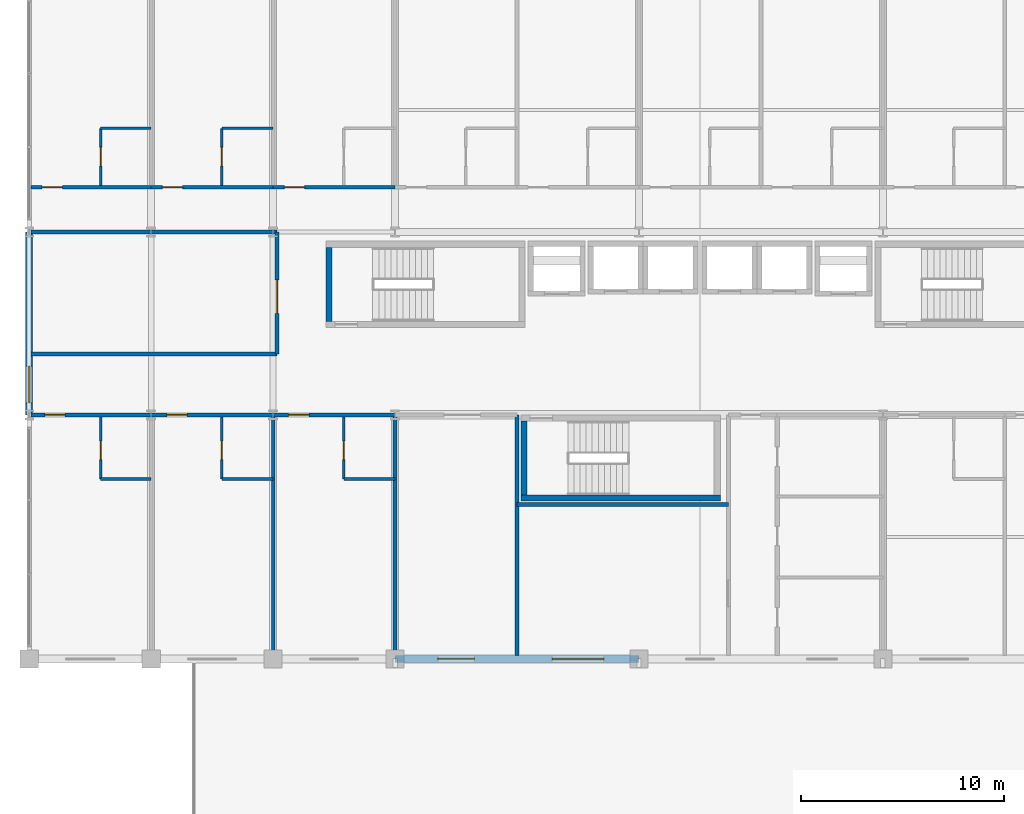
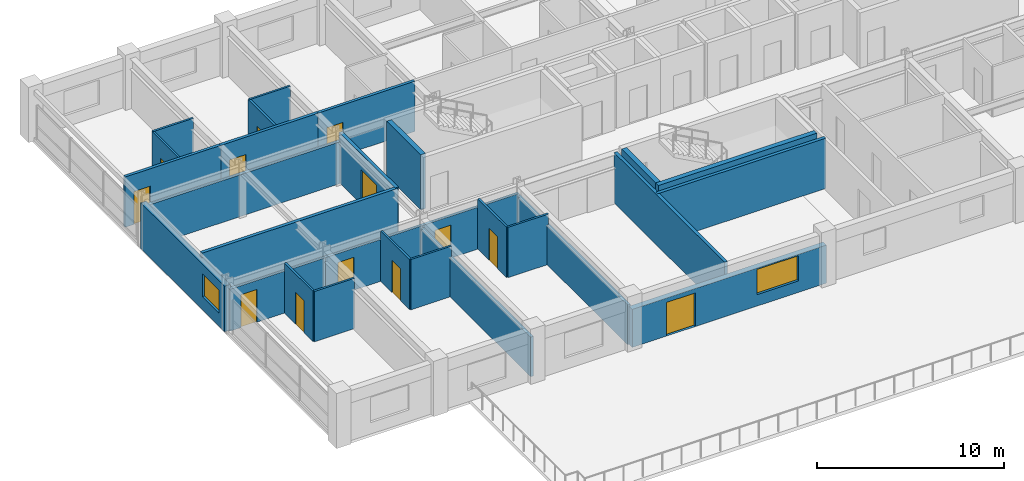
# One storey, part 16 of 24: 28 walls, 13 doors, 2 windows, 15 openings.
"""IFC4 building model written with IfcOpenShell, lengths in metres."""

import ifcopenshell
import ifcopenshell.guid

model = None  # the IFC model being written
_history = None  # IfcOwnerHistory: only IFC2X3 demands one
_inside = {}  # id of a spatial element -> (the spatial element, [elements in it])
_under = {}  # id of a project, library or spatial element -> (it, [spatial elements below it])
_declared = {}  # id of a project -> (the project, [libraries it declares])
_typed = {}  # id of a type object -> (the type object, [elements of that type])
_made_of = {}  # id of a material, layer set ... -> (it, [elements and type objects made of it])


def new_model(schema):
    """Start an empty IFC model of exactly this schema.

    Asked for "IFC4X3", IfcOpenShell would pick the latest addendum, in which some entities
    have other attributes; the version numbers below select the first issue.
    IFC2X3 requires an IfcOwnerHistory on every rooted entity: one is made here for all.
    """
    global model, _history
    if schema == "IFC4X3":
        model = ifcopenshell.file(schema_version=(4, 3, 0, 0))
    else:
        model = ifcopenshell.file(schema=schema)
    _inside.clear()
    _under.clear()
    _declared.clear()
    _typed.clear()
    _made_of.clear()
    _history = None
    if model.schema == "IFC2X3":
        org = make("IfcOrganization", Name="unknown")
        user = make(
            "IfcPersonAndOrganization",
            ThePerson=make("IfcPerson", FamilyName="unknown"),
            TheOrganization=org,
        )
        app = make(
            "IfcApplication",
            ApplicationDeveloper=org,
            Version="unknown",
            ApplicationFullName="unknown",
            ApplicationIdentifier="unknown",
        )
        _history = make(
            "IfcOwnerHistory",
            OwningUser=user,
            OwningApplication=app,
            ChangeAction="ADDED",
            CreationDate=0,
        )
    return model


def make(cls, **values):
    """One entity of the class cls with the attributes given. An attribute that is None is left unset."""
    return model.create_entity(
        cls, **{name: value for name, value in values.items() if value is not None}
    )


def rooted(cls, **values):
    """An entity with a GlobalId (a new one), such as an element, a storey or a relation."""
    return make(cls, GlobalId=ifcopenshell.guid.new(), OwnerHistory=_history, **values)


def si_unit(unit_type, name, prefix=None):
    """IfcSIUnit, for example si_unit("LENGTHUNIT", "METRE", prefix="MILLI")."""
    return make("IfcSIUnit", UnitType=unit_type, Prefix=prefix, Name=name)


def assignment(units):
    """IfcUnitAssignment: the units of a project."""
    return None if units is None else make("IfcUnitAssignment", Units=units)


def point(xyz):
    """IfcCartesianPoint."""
    return None if xyz is None else make("IfcCartesianPoint", Coordinates=xyz)


def direction(xyz):
    """IfcDirection."""
    return None if xyz is None else make("IfcDirection", DirectionRatios=xyz)


def frame(location, z_axis=None, x_axis=None):
    """IfcAxis2Placement3D, a coordinate frame: its origin and axes. An axis left out is left unset."""
    return make(
        "IfcAxis2Placement3D",
        Location=point(location),
        Axis=direction(z_axis),
        RefDirection=direction(x_axis),
    )


def frame_2d(location, x_axis=None):
    """IfcAxis2Placement2D, a coordinate frame in the plane: its origin and x axis."""
    return make(
        "IfcAxis2Placement2D", Location=point(location), RefDirection=direction(x_axis)
    )


def origin():
    """The frame at (0, 0, 0) with its axes left unset."""
    return frame((0.0, 0.0, 0.0))


def place(relative_to, where):
    """IfcLocalPlacement: puts the frame where relative to a parent placement (None: the world)."""
    return make(
        "IfcLocalPlacement", PlacementRelTo=relative_to, RelativePlacement=where
    )


def context(
    kind, dimensions, precision=None, world=None, true_north=None, identifier=None
):
    """IfcGeometricRepresentationContext, for example the 3D "Model" context."""
    return make(
        "IfcGeometricRepresentationContext",
        ContextIdentifier=identifier,
        ContextType=kind,
        CoordinateSpaceDimension=dimensions,
        Precision=precision,
        WorldCoordinateSystem=world,
        TrueNorth=true_north,
    )


def subcontext(parent, identifier, kind, view, scale=None):
    """IfcGeometricRepresentationSubContext, for example "Body" below "Model"."""
    return make(
        "IfcGeometricRepresentationSubContext",
        ContextIdentifier=identifier,
        ContextType=kind,
        ParentContext=parent,
        TargetScale=scale,
        TargetView=view,
    )


def project(units=None, contexts=None):
    """IfcProject with its units and contexts."""
    return rooted(
        "IfcProject",
        Name="project",
        RepresentationContexts=contexts,
        UnitsInContext=assignment(units),
    )


def spatial(cls, under=None, at=None, **own):
    """A site, building, storey or space (cls), placed at a placement, below another one or the project."""
    s = rooted(cls, ObjectPlacement=at, **own)
    if under is not None:
        _under.setdefault(under.id(), (under, []))[1].append(s)
    return s


def profile(cls, at=None, kind="AREA", **sizes):
    """A parametric profile (cls). Its sizes go by their IFC names, for example OverallWidth=200.0."""
    return make(cls, ProfileType=kind, Position=at, **sizes)


def rectangle(**sizes):
    """IfcRectangleProfileDef."""
    return profile("IfcRectangleProfileDef", **sizes)


def extrude(swept, where, along, depth):
    """IfcExtrudedAreaSolid: the profile swept, set in the frame where, extruded along a direction by depth."""
    return make(
        "IfcExtrudedAreaSolid",
        SweptArea=swept,
        Position=where,
        ExtrudedDirection=direction(along),
        Depth=depth,
    )


def shape(context_of_items, identifier, shape_type, items):
    """IfcShapeRepresentation: the items that make up one representation, for example the "Body"."""
    return make(
        "IfcShapeRepresentation",
        ContextOfItems=context_of_items,
        RepresentationIdentifier=identifier,
        RepresentationType=shape_type,
        Items=items,
    )


def material(Name=None, Category=None):
    """IfcMaterial."""
    return make("IfcMaterial", Name=Name, Category=Category)


def layer(
    of_material, thickness, ventilated=None, Name=None, Category=None, Priority=None
):
    """IfcMaterialLayer: one layer of a wall or slab, of a material (None: an air gap)."""
    return make(
        "IfcMaterialLayer",
        Material=of_material,
        LayerThickness=thickness,
        IsVentilated=ventilated,
        Name=Name,
        Category=Category,
        Priority=Priority,
    )


def layer_set(layers, Name=None):
    """IfcMaterialLayerSet."""
    return make("IfcMaterialLayerSet", MaterialLayers=layers, LayerSetName=Name)


def made_of(thing, what):
    """Note that an element or type object is made of a material, layer set ...; save() writes the relation."""
    if what is not None:
        _made_of.setdefault(what.id(), (what, []))[1].append(thing)
    return thing


def type_object(cls, material=None, **own):
    """A type object (cls), such as IfcWallType, which elements share."""
    return made_of(rooted(cls, **own), material)


def element(
    cls,
    number,
    at=None,
    inside=None,
    cuts=None,
    type_object=None,
    material=None,
    context=None,
    identifier="Body",
    shape_type=None,
    held_by="IfcProductDefinitionShape",
    body=None,
    shapes=None,
    **own,
):
    """One element of the class cls, such as IfcWall. Its Tag is "e" and its number.

    at: its placement. inside: the storey or other place that contains it. cuts: it is an
    opening in that element (IfcRelVoidsElement). A single representation is given by context,
    identifier, shape_type and body (its items); several are given by shapes. held_by: the class
    of the entity that holds the representations. save() writes the other relations.
    """
    e = rooted(cls, Tag="e%d" % number, ObjectPlacement=at, **own)
    if body is not None:
        shapes = [shape(context, identifier, shape_type, body)]
    if shapes is not None:
        e.Representation = make(held_by, Representations=shapes)
    if inside is not None:
        _inside.setdefault(inside.id(), (inside, []))[1].append(e)
    if cuts is not None:
        rooted(
            "IfcRelVoidsElement", RelatingBuildingElement=cuts, RelatedOpeningElement=e
        )
    if type_object is not None:
        _typed.setdefault(type_object.id(), (type_object, []))[1].append(e)
    return made_of(e, material)


def fill(opening, filler):
    """IfcRelFillsElement: the door or window that sits in an opening."""
    return rooted(
        "IfcRelFillsElement",
        RelatingOpeningElement=opening,
        RelatedBuildingElement=filler,
    )


def aggregate(whole, parts):
    """IfcRelAggregates: a whole, such as a stair, and the parts it consists of."""
    return rooted("IfcRelAggregates", RelatingObject=whole, RelatedObjects=parts)


def save(model, path):
    """Write the relations noted so far, then the file.

    IfcRelAggregates (storeys below a building ...), IfcRelContainedInSpatialStructure (elements
    in a storey), IfcRelDefinesByType, IfcRelAssociatesMaterial and IfcRelDeclares: one each for
    every whole, place, type object, material and project.
    """
    for whole, parts in _under.values():
        aggregate(whole, parts)
    for where, things in _inside.values():
        rooted(
            "IfcRelContainedInSpatialStructure",
            RelatedElements=things,
            RelatingStructure=where,
        )
    for kind, things in _typed.values():
        rooted("IfcRelDefinesByType", RelatedObjects=things, RelatingType=kind)
    for what, things in _made_of.values():
        rooted("IfcRelAssociatesMaterial", RelatedObjects=things, RelatingMaterial=what)
    for by, libraries in _declared.values():
        rooted("IfcRelDeclares", RelatingContext=by, RelatedDefinitions=libraries)
    model.write(path)


model = new_model("IFC4")

# Units and contexts
model_context = context("Model", 3, precision=1e-05, world=origin(), true_north=direction((0.0, 1.0)))
body_context = subcontext(model_context, "Body", "Model", "MODEL_VIEW")
ifc_project = project(units=[si_unit("LENGTHUNIT", "METRE"), si_unit("AREAUNIT", "SQUARE_METRE"), si_unit("VOLUMEUNIT", "CUBIC_METRE"), si_unit("PLANEANGLEUNIT", "RADIAN"), si_unit("MASSUNIT", "GRAM", prefix="KILO")], contexts=[model_context])

# Site, building, storey
site_placement = place(None, origin())
site = spatial("IfcSite", under=ifc_project, at=site_placement, CompositionType="ELEMENT")
building_placement = place(site_placement, origin())
building = spatial("IfcBuilding", under=site, at=building_placement, Name="Kaldorvane Square Convention Centre", CompositionType="ELEMENT")
storey_placement = place(building_placement, frame((0.0, 0.0, 27.600006103515625)))
storey = spatial("IfcBuildingStorey", under=building, at=storey_placement, Name="L05", CompositionType="ELEMENT", Elevation=27.600006103515625)

# Wall, opening, door
ifc_material_1 = material(Name="Fire-Rated Gypsum Board on Acoustic Steel Studs", Category="steel")
ifc_layer_1 = layer(ifc_material_1, 0.125)
ifc_layer_set_1 = layer_set([ifc_layer_1], Name="Fire-Rated Gypsum Board on Acoustic Steel Studs")
wall_type_1 = type_object("IfcWallType", Name="WL-BATH-125", PredefinedType="PARTITIONING", material=ifc_layer_set_1)
wall_1_placement = place(storey_placement, frame((27.520004272460938, 107.28999328613281, 0.0), z_axis=(0.0, 0.0, 1.0), x_axis=(0.0, 1.0, 0.0)))
wall_1 = element("IfcWall", 1, at=wall_1_placement, inside=storey, type_object=wall_type_1, Name="En-Suite 501 West Wall", PredefinedType="PARTITIONING", context=body_context, shape_type="SweptSolid", body=[
    extrude(rectangle(XDim=2.8100128173828125, YDim=0.125, at=frame_2d((1.404998779296875, 0.0))), origin(), (0.0, 0.0, 1.0), 3.2899932861328125),
])
opening_1_placement = place(wall_1_placement, frame((0.9499969482421875, 0.0, 0.0)))
opening_1 = element("IfcOpeningElement", 2, at=opening_1_placement, cuts=wall_1, Name="Opening ID-12", PredefinedType="OPENING", context=body_context, shape_type="SweptSolid", body=[
    extrude(rectangle(XDim=0.9199981689453125, YDim=2.100006103515625, at=frame_2d((0.459991455078125, 1.0500030517578125))), frame((0.0, 0.0774993896484375, 0.0), z_axis=(0.0, -1.0, 0.0), x_axis=(1.0, 0.0, 0.0)), (0.0, 0.0, 1.0), 0.154998779296875),
])
ifc_material_2 = material(Name="Architectural Solid-Core White Oak")
door_type_1 = type_object("IfcDoorType", Name="DR-BATH-0920X2100", OperationType="SINGLE_SWING_RIGHT", PredefinedType="DOOR", material=ifc_material_2)
door_1_placement = place(opening_1_placement, origin())
door_1 = element("IfcDoor", 3, at=door_1_placement, inside=storey, type_object=door_type_1, Name="En-Suite Bathroom 501 Door", OperationType="SINGLE_SWING_RIGHT", OverallHeight=2.100006103515625, OverallWidth=0.9199981689453125, PredefinedType="DOOR", context=body_context, shape_type="SweptSolid", body=[
    extrude(rectangle(XDim=0.9199981689453125, YDim=2.100006103515625, at=frame_2d((0.459991455078125, 1.0500030517578125))), frame((0.0, 0.024993896484375, 0.0), z_axis=(0.0, -1.0, 0.0), x_axis=(1.0, 0.0, 0.0)), (0.0, 0.0, 1.0), 0.0500030517578125),
])
fill(opening_1, door_1)

# Wall
wall_2_placement = place(storey_placement, frame((27.520004272460938, 110.10000610351562, 0.0), z_axis=(0.0, 0.0, 1.0), x_axis=(1.0, 0.0, 0.0)))
element("IfcWall", 4, at=wall_2_placement, inside=storey, type_object=wall_type_1, Name="En-Suite 501 North Wall", PredefinedType="PARTITIONING", context=body_context, shape_type="SweptSolid", body=[
    extrude(rectangle(XDim=2.4799957275390625, YDim=0.125, at=frame_2d((1.239990234375, 0.0))), origin(), (0.0, 0.0, 1.0), 3.2899932861328125),
])

# Wall, opening, door
wall_3_placement = place(storey_placement, frame((33.47999572753906, 107.28999328613281, 0.0), z_axis=(0.0, 0.0, 1.0), x_axis=(0.0, 1.0, 0.0)))
wall_3 = element("IfcWall", 5, at=wall_3_placement, inside=storey, type_object=wall_type_1, Name="En-Suite 502 West Wall", PredefinedType="PARTITIONING", context=body_context, shape_type="SweptSolid", body=[
    extrude(rectangle(XDim=2.8100128173828125, YDim=0.125, at=frame_2d((1.404998779296875, 0.0))), origin(), (0.0, 0.0, 1.0), 3.2899932861328125),
])
opening_2_placement = place(wall_3_placement, frame((0.9499969482421875, 0.0, 0.0)))
opening_2 = element("IfcOpeningElement", 6, at=opening_2_placement, cuts=wall_3, Name="Opening ID-12", PredefinedType="OPENING", context=body_context, shape_type="SweptSolid", body=[
    extrude(rectangle(XDim=0.9199981689453125, YDim=2.100006103515625, at=frame_2d((0.459991455078125, 1.0500030517578125))), frame((0.0, 0.0774993896484375, 0.0), z_axis=(0.0, -1.0, 0.0), x_axis=(1.0, 0.0, 0.0)), (0.0, 0.0, 1.0), 0.154998779296875),
])
door_2_placement = place(opening_2_placement, origin())
door_2 = element("IfcDoor", 7, at=door_2_placement, inside=storey, type_object=door_type_1, Name="En-Suite Bathroom 502 Door", OperationType="SINGLE_SWING_RIGHT", OverallHeight=2.100006103515625, OverallWidth=0.9199981689453125, PredefinedType="DOOR", context=body_context, shape_type="SweptSolid", body=[
    extrude(rectangle(XDim=0.9199981689453125, YDim=2.100006103515625, at=frame_2d((0.459991455078125, 1.0500030517578125))), frame((0.0, 0.024993896484375, 0.0), z_axis=(0.0, -1.0, 0.0), x_axis=(1.0, 0.0, 0.0)), (0.0, 0.0, 1.0), 0.0500030517578125),
])
fill(opening_2, door_2)

# Wall
wall_4_placement = place(storey_placement, frame((33.47999572753906, 110.10000610351562, 0.0), z_axis=(0.0, 0.0, 1.0), x_axis=(1.0, 0.0, 0.0)))
element("IfcWall", 8, at=wall_4_placement, inside=storey, type_object=wall_type_1, Name="En-Suite 502 North Wall", PredefinedType="PARTITIONING", context=body_context, shape_type="SweptSolid", body=[
    extrude(rectangle(XDim=2.5200042724609375, YDim=0.125, at=frame_2d((1.260009765625, 0.0))), origin(), (0.0, 0.0, 1.0), 3.2899932861328125),
])

# Wall, opening, door
wall_5_placement = place(storey_placement, frame((27.520004272460938, 92.85000610351562, 0.0), z_axis=(0.0, 0.0, 1.0), x_axis=(0.0, 1.0, 0.0)))
wall_5 = element("IfcWall", 9, at=wall_5_placement, inside=storey, type_object=wall_type_1, Name="En-Suite 513 West Wall", PredefinedType="PARTITIONING", context=body_context, shape_type="SweptSolid", body=[
    extrude(rectangle(XDim=3.05999755859375, YDim=0.125, at=frame_2d((1.529998779296875, 0.0))), origin(), (0.0, 0.0, 1.0), 3.2899932861328125),
])
opening_3_placement = place(wall_5_placement, frame((0.9499969482421875, 0.0, 0.0)))
opening_3 = element("IfcOpeningElement", 10, at=opening_3_placement, cuts=wall_5, Name="Opening ID-12", PredefinedType="OPENING", context=body_context, shape_type="SweptSolid", body=[
    extrude(rectangle(XDim=0.9199981689453125, YDim=2.100006103515625, at=frame_2d((0.459991455078125, 1.0500030517578125))), frame((0.0, 0.0774993896484375, 0.0), z_axis=(0.0, -1.0, 0.0), x_axis=(1.0, 0.0, 0.0)), (0.0, 0.0, 1.0), 0.154998779296875),
])
door_3_placement = place(opening_3_placement, origin())
door_3 = element("IfcDoor", 11, at=door_3_placement, inside=storey, type_object=door_type_1, Name="En-Suite Bathroom 513 Door", OperationType="SINGLE_SWING_RIGHT", OverallHeight=2.100006103515625, OverallWidth=0.9199981689453125, PredefinedType="DOOR", context=body_context, shape_type="SweptSolid", body=[
    extrude(rectangle(XDim=0.9199981689453125, YDim=2.100006103515625, at=frame_2d((0.459991455078125, 1.0500030517578125))), frame((0.0, 0.024993896484375, 0.0), z_axis=(0.0, -1.0, 0.0), x_axis=(1.0, 0.0, 0.0)), (0.0, 0.0, 1.0), 0.0500030517578125),
])
fill(opening_3, door_3)

# Wall
wall_6_placement = place(storey_placement, frame((27.520004272460938, 92.85000610351562, 0.0), z_axis=(0.0, 0.0, 1.0), x_axis=(1.0, 0.0, 0.0)))
element("IfcWall", 12, at=wall_6_placement, inside=storey, type_object=wall_type_1, Name="En-Suite 513 South Wall", PredefinedType="PARTITIONING", context=body_context, shape_type="SweptSolid", body=[
    extrude(rectangle(XDim=2.4799957275390625, YDim=0.125, at=frame_2d((1.239990234375, 0.0))), origin(), (0.0, 0.0, 1.0), 3.2899932861328125),
])

# Wall, opening, door
wall_7_placement = place(storey_placement, frame((33.47999572753906, 92.85000610351562, 0.0), z_axis=(0.0, 0.0, 1.0), x_axis=(0.0, 1.0, 0.0)))
wall_7 = element("IfcWall", 13, at=wall_7_placement, inside=storey, type_object=wall_type_1, Name="En-Suite 514 West Wall", PredefinedType="PARTITIONING", context=body_context, shape_type="SweptSolid", body=[
    extrude(rectangle(XDim=3.05999755859375, YDim=0.125, at=frame_2d((1.529998779296875, 0.0))), origin(), (0.0, 0.0, 1.0), 3.2899932861328125),
])
opening_4_placement = place(wall_7_placement, frame((0.9499969482421875, 0.0, 0.0)))
opening_4 = element("IfcOpeningElement", 14, at=opening_4_placement, cuts=wall_7, Name="Opening ID-12", PredefinedType="OPENING", context=body_context, shape_type="SweptSolid", body=[
    extrude(rectangle(XDim=0.9199981689453125, YDim=2.100006103515625, at=frame_2d((0.459991455078125, 1.0500030517578125))), frame((0.0, 0.0774993896484375, 0.0), z_axis=(0.0, -1.0, 0.0), x_axis=(1.0, 0.0, 0.0)), (0.0, 0.0, 1.0), 0.154998779296875),
])
door_4_placement = place(opening_4_placement, origin())
door_4 = element("IfcDoor", 15, at=door_4_placement, inside=storey, type_object=door_type_1, Name="En-Suite Bathroom 514 Door", OperationType="SINGLE_SWING_RIGHT", OverallHeight=2.100006103515625, OverallWidth=0.9199981689453125, PredefinedType="DOOR", context=body_context, shape_type="SweptSolid", body=[
    extrude(rectangle(XDim=0.9199981689453125, YDim=2.100006103515625, at=frame_2d((0.459991455078125, 1.0500030517578125))), frame((0.0, 0.024993896484375, 0.0), z_axis=(0.0, -1.0, 0.0), x_axis=(1.0, 0.0, 0.0)), (0.0, 0.0, 1.0), 0.0500030517578125),
])
fill(opening_4, door_4)

# Wall
wall_8_placement = place(storey_placement, frame((33.47999572753906, 92.85000610351562, 0.0), z_axis=(0.0, 0.0, 1.0), x_axis=(1.0, 0.0, 0.0)))
element("IfcWall", 16, at=wall_8_placement, inside=storey, type_object=wall_type_1, Name="En-Suite 514 South Wall", PredefinedType="PARTITIONING", context=body_context, shape_type="SweptSolid", body=[
    extrude(rectangle(XDim=2.5200042724609375, YDim=0.125, at=frame_2d((1.260009765625, 0.0))), origin(), (0.0, 0.0, 1.0), 3.2899932861328125),
])

# Wall, opening, door
wall_9_placement = place(storey_placement, frame((39.47999572753906, 92.85000610351562, 0.0), z_axis=(0.0, 0.0, 1.0), x_axis=(0.0, 1.0, 0.0)))
wall_9 = element("IfcWall", 17, at=wall_9_placement, inside=storey, type_object=wall_type_1, Name="En-Suite 515 West Wall", PredefinedType="PARTITIONING", context=body_context, shape_type="SweptSolid", body=[
    extrude(rectangle(XDim=3.05999755859375, YDim=0.125, at=frame_2d((1.529998779296875, 0.0))), origin(), (0.0, 0.0, 1.0), 3.2899932861328125),
])
opening_5_placement = place(wall_9_placement, frame((0.9499969482421875, 0.0, 0.0)))
opening_5 = element("IfcOpeningElement", 18, at=opening_5_placement, cuts=wall_9, Name="Opening ID-12", PredefinedType="OPENING", context=body_context, shape_type="SweptSolid", body=[
    extrude(rectangle(XDim=0.9199981689453125, YDim=2.100006103515625, at=frame_2d((0.459991455078125, 1.0500030517578125))), frame((0.0, 0.0774993896484375, 0.0), z_axis=(0.0, -1.0, 0.0), x_axis=(1.0, 0.0, 0.0)), (0.0, 0.0, 1.0), 0.154998779296875),
])
door_5_placement = place(opening_5_placement, origin())
door_5 = element("IfcDoor", 19, at=door_5_placement, inside=storey, type_object=door_type_1, Name="En-Suite Bathroom 515 Door", OperationType="SINGLE_SWING_RIGHT", OverallHeight=2.100006103515625, OverallWidth=0.9199981689453125, PredefinedType="DOOR", context=body_context, shape_type="SweptSolid", body=[
    extrude(rectangle(XDim=0.9199981689453125, YDim=2.100006103515625, at=frame_2d((0.459991455078125, 1.0500030517578125))), frame((0.0, 0.024993896484375, 0.0), z_axis=(0.0, -1.0, 0.0), x_axis=(1.0, 0.0, 0.0)), (0.0, 0.0, 1.0), 0.0500030517578125),
])
fill(opening_5, door_5)

# Walls
wall_10_placement = place(storey_placement, frame((39.47999572753906, 92.85000610351562, 0.0), z_axis=(0.0, 0.0, 1.0), x_axis=(1.0, 0.0, 0.0)))
element("IfcWall", 20, at=wall_10_placement, inside=storey, type_object=wall_type_1, Name="En-Suite 515 South Wall", PredefinedType="PARTITIONING", context=body_context, shape_type="SweptSolid", body=[
    extrude(rectangle(XDim=2.5200042724609375, YDim=0.125, at=frame_2d((1.260009765625, 0.0))), origin(), (0.0, 0.0, 1.0), 3.2899932861328125),
])
ifc_layer_2 = layer(ifc_material_1, 0.1999969482421875)
ifc_layer_set_2 = layer_set([ifc_layer_2], Name="Fire-Rated Gypsum Board on Acoustic Steel Studs")
wall_type_2 = type_object("IfcWallType", Name="WL-CORR-200", PredefinedType="PARTITIONING", material=ifc_layer_set_2)
wall_11_placement = place(storey_placement, frame((48.0, 91.60000610351562, 0.0), z_axis=(0.0, 0.0, 1.0), x_axis=(1.0, 0.0, 0.0)))
element("IfcWall", 21, at=wall_11_placement, inside=storey, type_object=wall_type_2, Name="Housekeeping North Wall (L05)", PredefinedType="PARTITIONING", context=body_context, shape_type="SweptSolid", body=[
    extrude(rectangle(XDim=10.399993896484375, YDim=0.1999969482421875, at=frame_2d((5.1999969482421875, 0.0))), origin(), (0.0, 0.0, 1.0), 3.2899932861328125),
])
wall_12_placement = place(storey_placement, frame((48.0, 84.17500305175781, 0.0), z_axis=(0.0, 0.0, 1.0), x_axis=(0.0, 1.0, 0.0)))
element("IfcWall", 22, at=wall_12_placement, inside=storey, type_object=wall_type_2, Name="Service Block West Wall (L05)", PredefinedType="PARTITIONING", context=body_context, shape_type="SweptSolid", body=[
    extrude(rectangle(XDim=11.824996948242188, YDim=0.1999969482421875, at=frame_2d((5.912506103515625, 0.0))), origin(), (0.0, 0.0, 1.0), 3.2899932861328125),
])
wall_13_placement = place(storey_placement, frame((24.085006713867188, 99.0, 0.0), z_axis=(0.0, 0.0, 1.0), x_axis=(1.0, 0.0, 0.0)))
element("IfcWall", 23, at=wall_13_placement, inside=storey, type_object=wall_type_2, Name="West Sunset Sitting Alcove (L05) S Wall", PredefinedType="PARTITIONING", context=body_context, shape_type="SweptSolid", body=[
    extrude(rectangle(XDim=12.114990234375, YDim=0.1999969482421875, at=frame_2d((6.0574951171875, 0.0))), origin(), (0.0, 0.0, 1.0), 3.2899932861328125),
])

# Wall, opening, door
wall_14_placement = place(storey_placement, frame((36.19999694824219, 99.0, 0.0), z_axis=(0.0, 0.0, 1.0), x_axis=(0.0, 1.0, 0.0)))
wall_14 = element("IfcWall", 24, at=wall_14_placement, inside=storey, type_object=wall_type_2, Name="West Sunset Sitting Alcove (L05) E Wall", PredefinedType="PARTITIONING", context=body_context, shape_type="SweptSolid", body=[
    extrude(rectangle(XDim=6.0, YDim=0.1999969482421875, at=frame_2d((3.0, 0.0))), origin(), (0.0, 0.0, 1.0), 3.2899932861328125),
])
opening_6_placement = place(wall_14_placement, frame((2.0, 0.0, 0.0)))
opening_6 = element("IfcOpeningElement", 25, at=opening_6_placement, cuts=wall_14, Name="Opening ID-16", PredefinedType="OPENING", context=body_context, shape_type="SweptSolid", body=[
    extrude(rectangle(XDim=1.649993896484375, YDim=2.25, at=frame_2d((0.8249969482421875, 1.125))), frame((0.0, 0.114990234375, 0.0), z_axis=(0.0, -1.0, 0.0), x_axis=(1.0, 0.0, 0.0)), (0.0, 0.0, 1.0), 0.2299957275390625),
])
ifc_material_3 = material(Name="Acoustic Laminated Glass in Aluminum Frame", Category="aluminium")
door_type_2 = type_object("IfcDoorType", Name="DR-GL-1650X2250", OperationType="DOUBLE_DOOR_SINGLE_SWING", PredefinedType="DOOR", material=ifc_material_3)
door_6_placement = place(opening_6_placement, origin())
door_6 = element("IfcDoor", 26, at=door_6_placement, inside=storey, type_object=door_type_2, Name="West Sunset Sitting Alcove (L05) Door 1", OperationType="DOUBLE_DOOR_SINGLE_SWING", OverallHeight=2.25, OverallWidth=1.649993896484375, PredefinedType="DOOR", context=body_context, shape_type="SweptSolid", body=[
    extrude(rectangle(XDim=1.649993896484375, YDim=2.25, at=frame_2d((0.8249969482421875, 1.125))), frame((0.0, 0.024993896484375, 0.0), z_axis=(0.0, -1.0, 0.0), x_axis=(1.0, 0.0, 0.0)), (0.0, 0.0, 1.0), 0.0500030517578125),
])
fill(opening_6, door_6)

# Wall
wall_15_placement = place(storey_placement, frame((36.19999694824219, 105.0, 0.0), z_axis=(0.0, 0.0, 1.0), x_axis=(-1.0, 0.0, 0.0)))
element("IfcWall", 27, at=wall_15_placement, inside=storey, type_object=wall_type_2, Name="West Sunset Sitting Alcove (L05) N Wall", PredefinedType="PARTITIONING", context=body_context, shape_type="SweptSolid", body=[
    extrude(rectangle(XDim=12.114990234375, YDim=0.1999969482421875, at=frame_2d((6.0574951171875, 0.0))), origin(), (0.0, 0.0, 1.0), 2.735992431640625),
])

# Wall, openings, door, window
ifc_material_4 = material(Name="Concrete f'c = 42 MPa (Normalweight)", Category="concrete")
ifc_layer_3 = layer(ifc_material_4, 0.350006103515625)
ifc_layer_set_3 = layer_set([ifc_layer_3], Name="Concrete f'c = 42 MPa (Normalweight)")
wall_type_3 = type_object("IfcWallType", Name="WL-EXT-350", PredefinedType="STANDARD", material=ifc_layer_set_3)
wall_16_placement = place(storey_placement, frame((42.0, 84.0, 0.0), z_axis=(0.0, 0.0, 1.0), x_axis=(1.0, 0.0, 0.0)))
wall_16 = element("IfcWall", 28, at=wall_16_placement, inside=storey, type_object=wall_type_3, Name="Hotel S Brutalist Facade Wall (L05)", PredefinedType="STANDARD", context=body_context, shape_type="SweptSolid", body=[
    extrude(rectangle(XDim=12.0, YDim=0.350006103515625, at=frame_2d((6.0, 0.0))), origin(), (0.0, 0.0, 1.0), 2.485992431640625),
])
opening_7_placement = place(wall_16_placement, frame((2.100006103515625, 0.0, 0.0)))
opening_7 = element("IfcOpeningElement", 29, at=opening_7_placement, cuts=wall_16, Name="Opening TD-01", PredefinedType="OPENING", context=body_context, shape_type="SweptSolid", body=[
    extrude(rectangle(XDim=1.8000030517578125, YDim=2.1999969482421875, at=frame_2d((0.899993896484375, 1.100006103515625))), frame((0.0, 0.19000244140625, 0.0), z_axis=(0.0, -1.0, 0.0), x_axis=(1.0, 0.0, 0.0)), (0.0, 0.0, 1.0), 0.3800048828125),
])
opening_8_placement = place(wall_16_placement, frame((7.725006103515625, 0.0, 0.75)))
opening_8 = element("IfcOpeningElement", 30, at=opening_8_placement, cuts=wall_16, Name="Opening W-02", PredefinedType="OPENING", context=body_context, shape_type="SweptSolid", body=[
    extrude(rectangle(XDim=2.5500030517578125, YDim=1.649993896484375, at=frame_2d((1.274993896484375, 0.8249969482421875))), frame((0.0, 0.19000244140625, 0.0), z_axis=(0.0, -1.0, 0.0), x_axis=(1.0, 0.0, 0.0)), (0.0, 0.0, 1.0), 0.3800048828125),
])
ifc_material_5 = material(Name="Thermally Broken Aluminum and Tempered Glass", Category="aluminium")
door_type_3 = type_object("IfcDoorType", Name="DR-TER-1800X2200", OperationType="DOUBLE_DOOR_SLIDING", PredefinedType="DOOR", material=ifc_material_5)
door_7_placement = place(opening_7_placement, origin())
door_7 = element("IfcDoor", 31, at=door_7_placement, inside=storey, type_object=door_type_3, Name="L05 Planted Podium Terrace Sliding Door", OperationType="DOUBLE_DOOR_SLIDING", OverallHeight=2.1999969482421875, OverallWidth=1.8000030517578125, PredefinedType="DOOR", context=body_context, shape_type="SweptSolid", body=[
    extrude(rectangle(XDim=1.8000030517578125, YDim=2.1999969482421875, at=frame_2d((0.899993896484375, 1.100006103515625))), frame((0.0, 0.024993896484375, 0.0), z_axis=(0.0, -1.0, 0.0), x_axis=(1.0, 0.0, 0.0)), (0.0, 0.0, 1.0), 0.0500030517578125),
])
fill(opening_7, door_7)
ifc_material_6 = material(Name="Anodized Aluminum and Low-E Insulated Glazing", Category="aluminium")
window_type_1 = type_object("IfcWindowType", Name="WN-HTL-2550X1650", PartitioningType="DOUBLE_PANEL_VERTICAL", PredefinedType="WINDOW", material=ifc_material_6)
window_1_placement = place(opening_8_placement, origin())
window_1 = element("IfcWindow", 32, at=window_1_placement, inside=storey, type_object=window_type_1, Name="Hotel S Window (L05)", OverallHeight=1.649993896484375, OverallWidth=2.5500030517578125, PartitioningType="DOUBLE_PANEL_VERTICAL", PredefinedType="WINDOW", context=body_context, shape_type="SweptSolid", body=[
    extrude(rectangle(XDim=2.5500030517578125, YDim=1.649993896484375, at=frame_2d((1.274993896484375, 0.8249969482421875))), frame((0.0, 0.029998779296875, 0.0), z_axis=(0.0, -1.0, 0.0), x_axis=(1.0, 0.0, 0.0)), (0.0, 0.0, 1.0), 0.05999755859375),
])
fill(opening_8, window_1)

# Wall, opening, window
wall_17_placement = place(storey_placement, frame((24.0, 105.0, 0.0), z_axis=(0.0, 0.0, 1.0), x_axis=(0.0, -1.0, 0.0)))
wall_17 = element("IfcWall", 33, at=wall_17_placement, inside=storey, type_object=wall_type_3, Name="Hotel W End Wall (L05)", PredefinedType="STANDARD", context=body_context, shape_type="SweptSolid", body=[
    extrude(rectangle(XDim=9.0, YDim=0.350006103515625, at=frame_2d((4.5, 0.0))), origin(), (0.0, 0.0, 1.0), 2.980987548828125),
])
opening_9_placement = place(wall_17_placement, frame((6.600006103515625, 0.0, 0.850006103515625)))
opening_9 = element("IfcOpeningElement", 34, at=opening_9_placement, cuts=wall_17, Name="Opening W-11", PredefinedType="OPENING", context=body_context, shape_type="SweptSolid", body=[
    extrude(rectangle(XDim=1.8000030517578125, YDim=1.5, at=frame_2d((0.899993896484375, 0.75))), frame((0.0, 0.19000244140625, 0.0), z_axis=(0.0, -1.0, 0.0), x_axis=(1.0, 0.0, 0.0)), (0.0, 0.0, 1.0), 0.3800048828125),
])
window_type_2 = type_object("IfcWindowType", Name="WN-HTL-1800X1500", PartitioningType="SINGLE_PANEL", PredefinedType="WINDOW", material=ifc_material_6)
window_2_placement = place(opening_9_placement, origin())
window_2 = element("IfcWindow", 35, at=window_2_placement, inside=storey, type_object=window_type_2, Name="Hotel End Window W (L05)", OverallHeight=1.5, OverallWidth=1.8000030517578125, PartitioningType="SINGLE_PANEL", PredefinedType="WINDOW", context=body_context, shape_type="SweptSolid", body=[
    extrude(rectangle(XDim=1.8000030517578125, YDim=1.5, at=frame_2d((0.899993896484375, 0.75))), frame((0.0, 0.029998779296875, 0.0), z_axis=(0.0, -1.0, 0.0), x_axis=(1.0, 0.0, 0.0)), (0.0, 0.0, 1.0), 0.05999755859375),
])
fill(opening_9, window_2)

# Walls
ifc_material_7 = material(Name="Concrete f'c = 55 MPa (Normalweight)", Category="concrete")
ifc_layer_4 = layer(ifc_material_7, 0.3000030517578125)
ifc_layer_set_4 = layer_set([ifc_layer_4], Name="Concrete f'c = 55 MPa (Normalweight)")
wall_type_4 = type_object("IfcWallType", Name="WL-SHAFT-300", PredefinedType="SHEAR", material=ifc_layer_set_4)
wall_18_placement = place(storey_placement, frame((38.75, 104.25, 0.0), z_axis=(0.0, 0.0, 1.0), x_axis=(0.0, -1.0, 0.0)))
element("IfcWall", 36, at=wall_18_placement, inside=storey, type_object=wall_type_4, Name="Core Enclosure Wall stair:ST-T1-W (L05)", PredefinedType="SHEAR", context=body_context, shape_type="SweptSolid", body=[
    extrude(rectangle(XDim=3.6399993896484375, YDim=0.3000030517578125, at=frame_2d((1.82000732421875, 0.0))), origin(), (0.0, 0.0, 1.0), 3.5999908447265625),
])
wall_19_placement = place(storey_placement, frame((48.19999694824219, 91.91000366210938, 0.0), z_axis=(0.0, 0.0, 1.0), x_axis=(1.0, 0.0, 0.0)))
element("IfcWall", 37, at=wall_19_placement, inside=storey, type_object=wall_type_4, Name="Core Enclosure Wall stair:ST-T3-S (L05)", PredefinedType="SHEAR", context=body_context, shape_type="SweptSolid", body=[
    extrude(rectangle(XDim=9.800003051757812, YDim=0.3000030517578125, at=frame_2d((4.899993896484375, 0.0))), origin(), (0.0, 0.0, 1.0), 3.5999908447265625),
])
wall_20_placement = place(storey_placement, frame((48.350006103515625, 95.69999694824219, 0.0), z_axis=(0.0, 0.0, 1.0), x_axis=(0.0, -1.0, 0.0)))
element("IfcWall", 38, at=wall_20_placement, inside=storey, type_object=wall_type_4, Name="Core Enclosure Wall stair:ST-T3-W (L05)", PredefinedType="SHEAR", context=body_context, shape_type="SweptSolid", body=[
    extrude(rectangle(XDim=3.6399993896484375, YDim=0.3000030517578125, at=frame_2d((1.82000732421875, 0.0))), origin(), (0.0, 0.0, 1.0), 3.5999908447265625),
])

# Wall, opening, door
ifc_layer_5 = layer(ifc_material_1, 0.17999267578125)
ifc_layer_set_5 = layer_set([ifc_layer_5], Name="Fire-Rated Gypsum Board on Acoustic Steel Studs")
wall_type_5 = type_object("IfcWallType", Name="WL-UNIT-180", PredefinedType="PARTITIONING", material=ifc_layer_set_5)
wall_21_placement = place(storey_placement, frame((24.085006713867188, 107.19999694824219, 0.0), z_axis=(0.0, 0.0, 1.0), x_axis=(1.0, 0.0, 0.0)))
wall_21 = element("IfcWall", 39, at=wall_21_placement, inside=storey, type_object=wall_type_5, Name="Hotel Guest Room 501 Corridor Wall", PredefinedType="PARTITIONING", context=body_context, shape_type="SweptSolid", body=[
    extrude(rectangle(XDim=5.9149932861328125, YDim=0.17999267578125, at=frame_2d((2.957489013671875, 0.0))), origin(), (0.0, 0.0, 1.0), 3.2899932861328125),
])
opening_10_placement = place(wall_21_placement, frame((0.5500030517578125, 0.0, 0.0)))
opening_10 = element("IfcOpeningElement", 40, at=opening_10_placement, cuts=wall_21, Name="Opening ID-10", PredefinedType="OPENING", context=body_context, shape_type="SweptSolid", body=[
    extrude(rectangle(XDim=1.0, YDim=2.149993896484375, at=frame_2d((0.5, 1.0749969482421875))), frame((0.0, 0.1049957275390625, 0.0), z_axis=(0.0, -1.0, 0.0), x_axis=(1.0, 0.0, 0.0)), (0.0, 0.0, 1.0), 0.209991455078125),
])
door_type_4 = type_object("IfcDoorType", Name="DR-GUEST-1000X2150", OperationType="SINGLE_SWING_LEFT", PredefinedType="DOOR", material=ifc_material_2)
door_8_placement = place(opening_10_placement, origin())
door_8 = element("IfcDoor", 41, at=door_8_placement, inside=storey, type_object=door_type_4, Name="Hotel Guest Room 501 Entry Door", OperationType="SINGLE_SWING_LEFT", OverallHeight=2.149993896484375, OverallWidth=1.0, PredefinedType="DOOR", context=body_context, shape_type="SweptSolid", body=[
    extrude(rectangle(XDim=1.0, YDim=2.149993896484375, at=frame_2d((0.5, 1.0749969482421875))), frame((0.0, 0.024993896484375, 0.0), z_axis=(0.0, -1.0, 0.0), x_axis=(1.0, 0.0, 0.0)), (0.0, 0.0, 1.0), 0.0500030517578125),
])
fill(opening_10, door_8)

wall_22_placement = place(storey_placement, frame((30.0, 107.19999694824219, 0.0), z_axis=(0.0, 0.0, 1.0), x_axis=(1.0, 0.0, 0.0)))
wall_22 = element("IfcWall", 42, at=wall_22_placement, inside=storey, type_object=wall_type_5, Name="Hotel Guest Room 502 Corridor Wall", PredefinedType="PARTITIONING", context=body_context, shape_type="SweptSolid", body=[
    extrude(rectangle(XDim=6.0, YDim=0.17999267578125, at=frame_2d((3.0, 0.0))), origin(), (0.0, 0.0, 1.0), 3.2899932861328125),
])
opening_11_placement = place(wall_22_placement, frame((0.5500030517578125, 0.0, 0.0)))
opening_11 = element("IfcOpeningElement", 43, at=opening_11_placement, cuts=wall_22, Name="Opening ID-10", PredefinedType="OPENING", context=body_context, shape_type="SweptSolid", body=[
    extrude(rectangle(XDim=1.0, YDim=2.149993896484375, at=frame_2d((0.5, 1.0749969482421875))), frame((0.0, 0.1049957275390625, 0.0), z_axis=(0.0, -1.0, 0.0), x_axis=(1.0, 0.0, 0.0)), (0.0, 0.0, 1.0), 0.209991455078125),
])
door_9_placement = place(opening_11_placement, origin())
door_9 = element("IfcDoor", 44, at=door_9_placement, inside=storey, type_object=door_type_4, Name="Hotel Guest Room 502 Entry Door", OperationType="SINGLE_SWING_LEFT", OverallHeight=2.149993896484375, OverallWidth=1.0, PredefinedType="DOOR", context=body_context, shape_type="SweptSolid", body=[
    extrude(rectangle(XDim=1.0, YDim=2.149993896484375, at=frame_2d((0.5, 1.0749969482421875))), frame((0.0, 0.024993896484375, 0.0), z_axis=(0.0, -1.0, 0.0), x_axis=(1.0, 0.0, 0.0)), (0.0, 0.0, 1.0), 0.0500030517578125),
])
fill(opening_11, door_9)

wall_23_placement = place(storey_placement, frame((36.0, 107.19999694824219, 0.0), z_axis=(0.0, 0.0, 1.0), x_axis=(1.0, 0.0, 0.0)))
wall_23 = element("IfcWall", 45, at=wall_23_placement, inside=storey, type_object=wall_type_5, Name="Hotel Guest Room 503 Corridor Wall", PredefinedType="PARTITIONING", context=body_context, shape_type="SweptSolid", body=[
    extrude(rectangle(XDim=6.0, YDim=0.17999267578125, at=frame_2d((3.0, 0.0))), origin(), (0.0, 0.0, 1.0), 3.2899932861328125),
])
opening_12_placement = place(wall_23_placement, frame((0.5500030517578125, 0.0, 0.0)))
opening_12 = element("IfcOpeningElement", 46, at=opening_12_placement, cuts=wall_23, Name="Opening ID-10", PredefinedType="OPENING", context=body_context, shape_type="SweptSolid", body=[
    extrude(rectangle(XDim=1.0, YDim=2.149993896484375, at=frame_2d((0.5, 1.0749969482421875))), frame((0.0, 0.1049957275390625, 0.0), z_axis=(0.0, -1.0, 0.0), x_axis=(1.0, 0.0, 0.0)), (0.0, 0.0, 1.0), 0.209991455078125),
])
door_10_placement = place(opening_12_placement, origin())
door_10 = element("IfcDoor", 47, at=door_10_placement, inside=storey, type_object=door_type_4, Name="Hotel Guest Room 503 Entry Door", OperationType="SINGLE_SWING_LEFT", OverallHeight=2.149993896484375, OverallWidth=1.0, PredefinedType="DOOR", context=body_context, shape_type="SweptSolid", body=[
    extrude(rectangle(XDim=1.0, YDim=2.149993896484375, at=frame_2d((0.5, 1.0749969482421875))), frame((0.0, 0.024993896484375, 0.0), z_axis=(0.0, -1.0, 0.0), x_axis=(1.0, 0.0, 0.0)), (0.0, 0.0, 1.0), 0.0500030517578125),
])
fill(opening_12, door_10)

# Wall
wall_24_placement = place(storey_placement, frame((42.0, 84.17500305175781, 0.0), z_axis=(0.0, 0.0, 1.0), x_axis=(0.0, 1.0, 0.0)))
element("IfcWall", 48, at=wall_24_placement, inside=storey, type_object=wall_type_5, Name="South Tower Club Lounge West Wall (L05)", PredefinedType="PARTITIONING", context=body_context, shape_type="SweptSolid", body=[
    extrude(rectangle(XDim=11.824996948242188, YDim=0.17999267578125, at=frame_2d((5.912506103515625, 0.0))), origin(), (0.0, 0.0, 1.0), 2.589996337890625),
])

# Wall, opening, door
wall_25_placement = place(storey_placement, frame((24.085006713867188, 96.0, 0.0), z_axis=(0.0, 0.0, 1.0), x_axis=(1.0, 0.0, 0.0)))
wall_25 = element("IfcWall", 49, at=wall_25_placement, inside=storey, type_object=wall_type_5, Name="Hotel Guest Room 513 Corridor Wall", PredefinedType="PARTITIONING", context=body_context, shape_type="SweptSolid", body=[
    extrude(rectangle(XDim=5.9149932861328125, YDim=0.17999267578125, at=frame_2d((2.957489013671875, 0.0))), origin(), (0.0, 0.0, 1.0), 2.735992431640625),
])
opening_13_placement = place(wall_25_placement, frame((0.68499755859375, 0.0, 0.0)))
opening_13 = element("IfcOpeningElement", 50, at=opening_13_placement, cuts=wall_25, Name="Opening ID-10", PredefinedType="OPENING", context=body_context, shape_type="SweptSolid", body=[
    extrude(rectangle(XDim=1.0, YDim=2.149993896484375, at=frame_2d((0.5, 1.0749969482421875))), frame((0.0, 0.1049957275390625, 0.0), z_axis=(0.0, -1.0, 0.0), x_axis=(1.0, 0.0, 0.0)), (0.0, 0.0, 1.0), 0.209991455078125),
])
door_11_placement = place(opening_13_placement, origin())
door_11 = element("IfcDoor", 51, at=door_11_placement, inside=storey, type_object=door_type_4, Name="Hotel Guest Room 513 Entry Door", OperationType="SINGLE_SWING_LEFT", OverallHeight=2.149993896484375, OverallWidth=1.0, PredefinedType="DOOR", context=body_context, shape_type="SweptSolid", body=[
    extrude(rectangle(XDim=1.0, YDim=2.149993896484375, at=frame_2d((0.5, 1.0749969482421875))), frame((0.0, 0.024993896484375, 0.0), z_axis=(0.0, -1.0, 0.0), x_axis=(1.0, 0.0, 0.0)), (0.0, 0.0, 1.0), 0.0500030517578125),
])
fill(opening_13, door_11)

wall_26_placement = place(storey_placement, frame((30.0, 96.0, 0.0), z_axis=(0.0, 0.0, 1.0), x_axis=(1.0, 0.0, 0.0)))
wall_26 = element("IfcWall", 52, at=wall_26_placement, inside=storey, type_object=wall_type_5, Name="Hotel Guest Room 514 Corridor Wall", PredefinedType="PARTITIONING", context=body_context, shape_type="SweptSolid", body=[
    extrude(rectangle(XDim=6.0, YDim=0.17999267578125, at=frame_2d((3.0, 0.0))), origin(), (0.0, 0.0, 1.0), 2.735992431640625),
])
opening_14_placement = place(wall_26_placement, frame((0.7700042724609375, 0.0, 0.0)))
opening_14 = element("IfcOpeningElement", 53, at=opening_14_placement, cuts=wall_26, Name="Opening ID-10", PredefinedType="OPENING", context=body_context, shape_type="SweptSolid", body=[
    extrude(rectangle(XDim=1.0, YDim=2.149993896484375, at=frame_2d((0.5, 1.0749969482421875))), frame((0.0, 0.1049957275390625, 0.0), z_axis=(0.0, -1.0, 0.0), x_axis=(1.0, 0.0, 0.0)), (0.0, 0.0, 1.0), 0.209991455078125),
])
door_12_placement = place(opening_14_placement, origin())
door_12 = element("IfcDoor", 54, at=door_12_placement, inside=storey, type_object=door_type_4, Name="Hotel Guest Room 514 Entry Door", OperationType="SINGLE_SWING_LEFT", OverallHeight=2.149993896484375, OverallWidth=1.0, PredefinedType="DOOR", context=body_context, shape_type="SweptSolid", body=[
    extrude(rectangle(XDim=1.0, YDim=2.149993896484375, at=frame_2d((0.5, 1.0749969482421875))), frame((0.0, 0.024993896484375, 0.0), z_axis=(0.0, -1.0, 0.0), x_axis=(1.0, 0.0, 0.0)), (0.0, 0.0, 1.0), 0.0500030517578125),
])
fill(opening_14, door_12)

# Wall
wall_27_placement = place(storey_placement, frame((36.0, 84.17500305175781, 0.0), z_axis=(0.0, 0.0, 1.0), x_axis=(0.0, 1.0, 0.0)))
element("IfcWall", 55, at=wall_27_placement, inside=storey, type_object=wall_type_5, Name="Guestroom Demising Wall 514", PredefinedType="PARTITIONING", context=body_context, shape_type="SweptSolid", body=[
    extrude(rectangle(XDim=11.824996948242188, YDim=0.17999267578125, at=frame_2d((5.912506103515625, 0.0))), origin(), (0.0, 0.0, 1.0), 2.589996337890625),
])

# Wall, opening, door
wall_28_placement = place(storey_placement, frame((36.0, 96.0, 0.0), z_axis=(0.0, 0.0, 1.0), x_axis=(1.0, 0.0, 0.0)))
wall_28 = element("IfcWall", 56, at=wall_28_placement, inside=storey, type_object=wall_type_5, Name="Hotel Guest Room 515 Corridor Wall", PredefinedType="PARTITIONING", context=body_context, shape_type="SweptSolid", body=[
    extrude(rectangle(XDim=6.0, YDim=0.17999267578125, at=frame_2d((3.0, 0.0))), origin(), (0.0, 0.0, 1.0), 2.735992431640625),
])
opening_15_placement = place(wall_28_placement, frame((0.7700042724609375, 0.0, 0.0)))
opening_15 = element("IfcOpeningElement", 57, at=opening_15_placement, cuts=wall_28, Name="Opening ID-10", PredefinedType="OPENING", context=body_context, shape_type="SweptSolid", body=[
    extrude(rectangle(XDim=1.0, YDim=2.149993896484375, at=frame_2d((0.5, 1.0749969482421875))), frame((0.0, 0.1049957275390625, 0.0), z_axis=(0.0, -1.0, 0.0), x_axis=(1.0, 0.0, 0.0)), (0.0, 0.0, 1.0), 0.209991455078125),
])
door_13_placement = place(opening_15_placement, origin())
door_13 = element("IfcDoor", 58, at=door_13_placement, inside=storey, type_object=door_type_4, Name="Hotel Guest Room 515 Entry Door", OperationType="SINGLE_SWING_LEFT", OverallHeight=2.149993896484375, OverallWidth=1.0, PredefinedType="DOOR", context=body_context, shape_type="SweptSolid", body=[
    extrude(rectangle(XDim=1.0, YDim=2.149993896484375, at=frame_2d((0.5, 1.0749969482421875))), frame((0.0, 0.024993896484375, 0.0), z_axis=(0.0, -1.0, 0.0), x_axis=(1.0, 0.0, 0.0)), (0.0, 0.0, 1.0), 0.0500030517578125),
])
fill(opening_15, door_13)

save(model, "model.ifc")
